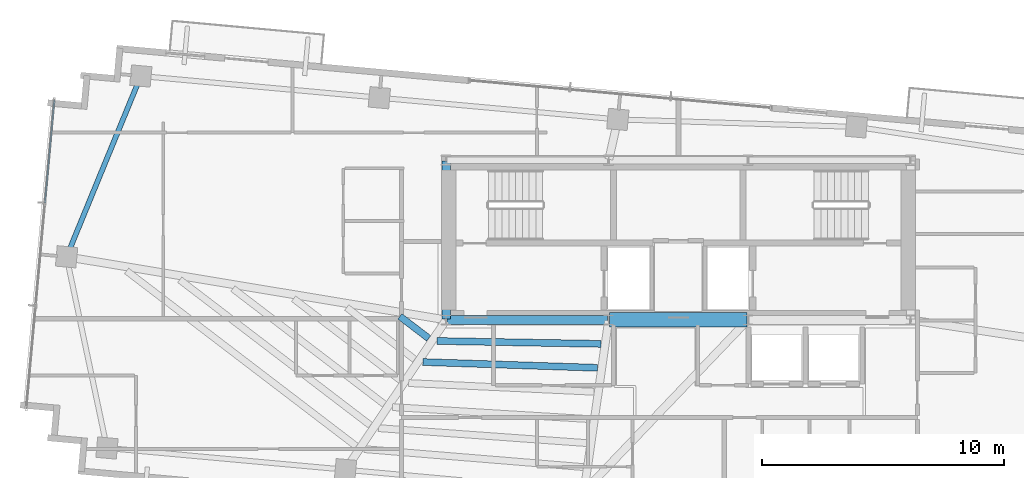
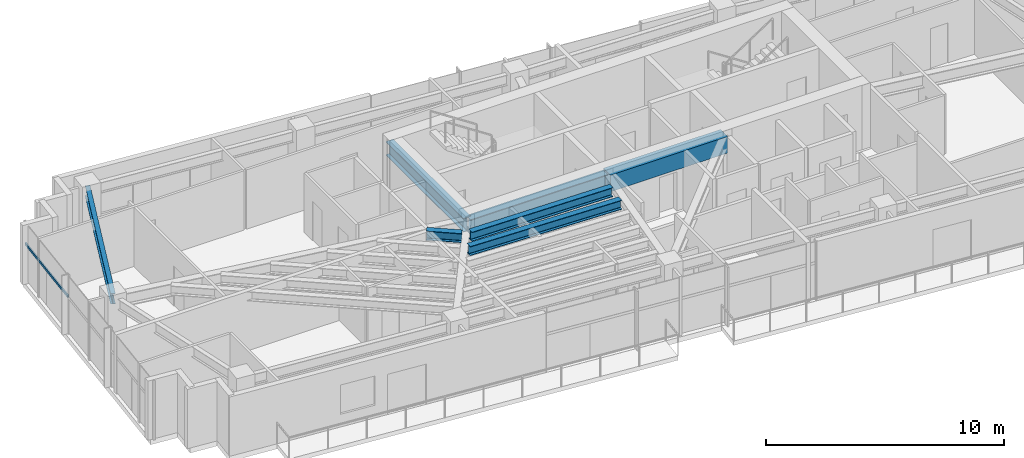
# One storey, part 8 of 22: 7 beams, 1 member, 1 element without a shape of its own.
"""IFC4 building model written with IfcOpenShell, lengths in metres."""

from ifc_helpers import new_model, si_unit, direction, frame, origin, origin_2d, place, context, subcontext, project, spatial, rectangle, hollow_rectangle, i_section, extrude, source, transform, mapped, material, material_profile, profile_set, type_object, type_shapes, element, aggregate, save


model = new_model("IFC4")

# Units and contexts
model_context = context("Model", 3, precision=1e-05, world=origin(), true_north=direction((0.0, 1.0)))
body_context = subcontext(model_context, "Body", "Model", "MODEL_VIEW")
ifc_project = project(units=[si_unit("LENGTHUNIT", "METRE"), si_unit("AREAUNIT", "SQUARE_METRE"), si_unit("VOLUMEUNIT", "CUBIC_METRE"), si_unit("PLANEANGLEUNIT", "RADIAN"), si_unit("MASSUNIT", "GRAM", prefix="KILO")], contexts=[model_context])

# Site, building, storey
site_placement = place(None, origin())
site = spatial("IfcSite", under=ifc_project, at=site_placement, CompositionType="ELEMENT")
building_placement = place(site_placement, origin())
building = spatial("IfcBuilding", under=site, at=building_placement, Name="Astriad Promenade Condominiums", CompositionType="ELEMENT")
storey_placement = place(building_placement, frame((0.0, 0.0, 229.800048828125)))
storey = spatial("IfcBuildingStorey", under=building, at=storey_placement, Name="L66", CompositionType="ELEMENT", Elevation=229.800048828125)

# Beams
ifc_material_1 = material(Name="Steel ASTM A992 Grade 50", Category="steel")
ifc_material_profile_1 = material_profile(ifc_material_1, i_section(OverallWidth=0.3837890625, OverallDepth=0.785888671875, WebThickness=0.019775390625, FlangeThickness=0.033447265625, FilletRadius=0.021484375, at=origin_2d()), Name="W30X211")
ifc_profile_set_1 = profile_set([ifc_material_profile_1], Name="Steel ASTM A992 Grade 50")
beam_type_1 = type_object("IfcBeamType", Name="STEEL FLOOR GIRDER W30X211", PredefinedType="BEAM", material=ifc_profile_set_1)
shared_shape_1 = source(origin(), body_context, "Body", "SweptSolid", [
    extrude(i_section(OverallWidth=0.3837890625, OverallDepth=0.785888671875, WebThickness=0.019775390625, FlangeThickness=0.033447265625, FilletRadius=0.021484375, at=origin_2d()), origin(), (0.0, 0.0, 1.0), 6.64013671875),
])
type_shapes(beam_type_1, [shared_shape_1])
beam_1_placement = place(storey_placement, frame((26.43994140625, 17.39990234375, 2.64697265625), z_axis=(1.0, 0.0, 0.0), x_axis=(0.0, 1.0, 0.0)))
element("IfcBeam", 1, at=beam_1_placement, inside=storey, type_object=beam_type_1, Name="Core Ring Beam CG-S1-L66", PredefinedType="BEAM", context=body_context, shape_type="MappedRepresentation", body=[
    mapped(shared_shape_1, transform((0.0, 0.0, 0.0), scale=1.0)),
])
ifc_material_profile_2 = material_profile(ifc_material_1, i_section(OverallWidth=0.35791015625, OverallDepth=0.706298828125, WebThickness=0.018310546875, FlangeThickness=0.0302734375, FilletRadius=0.020263671875, at=origin_2d()), Name="W27X178")
ifc_profile_set_2 = profile_set([ifc_material_profile_2], Name="Steel ASTM A992 Grade 50")
beam_type_2 = type_object("IfcBeamType", Name="STEEL FLOOR GIRDER W27X178", PredefinedType="BEAM", material=ifc_profile_set_2)
shared_shape_2 = source(origin(), body_context, "Body", "SweptSolid", [
    extrude(i_section(OverallWidth=0.35791015625, OverallDepth=0.706298828125, WebThickness=0.018310546875, FlangeThickness=0.0302734375, FilletRadius=0.020263671875, at=origin_2d()), origin(), (0.0, 0.0, 1.0), 6.52001953125),
])
type_shapes(beam_type_2, [shared_shape_2])
beam_2_placement = place(storey_placement, frame((26.39990234375, 17.43994140625, 2.686767578125), z_axis=(0.0, 1.0, 0.0), x_axis=(-1.0, 0.0, 0.0)))
element("IfcBeam", 2, at=beam_2_placement, inside=storey, type_object=beam_type_2, Name="Core Ring Beam CG-W1-L66", PredefinedType="BEAM", context=body_context, shape_type="MappedRepresentation", body=[
    mapped(shared_shape_2, transform((0.0, 0.0, 0.0), scale=1.0)),
])
ifc_material_2 = material(Name="Concrete C60/75", Category="concrete")
ifc_material_profile_3 = material_profile(ifc_material_2, rectangle(XDim=0.60009765625, YDim=0.85009765625, at=origin_2d()), Name="RC-BM-600X850")
ifc_profile_set_3 = profile_set([ifc_material_profile_3], Name="Concrete C60/75")
beam_type_3 = type_object("IfcBeamType", Name="CONCRETE CORE COUPLING LINTEL 600X850", PredefinedType="LINTEL", material=ifc_profile_set_3)
shared_shape_3 = source(origin(), body_context, "Body", "SweptSolid", [
    extrude(rectangle(XDim=0.60009765625, YDim=0.85009765625, at=origin_2d()), origin(), (0.0, 0.0, 1.0), 5.68017578125),
])
type_shapes(beam_type_3, [shared_shape_3])
beam_3_placement = place(storey_placement, frame((33.159912109375, 17.39990234375, 2.614990234375), z_axis=(1.0, 0.0, 0.0), x_axis=(0.0, 1.0, 0.0)))
element("IfcBeam", 3, at=beam_3_placement, inside=storey, type_object=beam_type_3, Name="Core Ring Beam CG-S2-L66", PredefinedType="LINTEL", context=body_context, shape_type="MappedRepresentation", body=[
    mapped(shared_shape_3, transform((0.0, 0.0, 0.0), scale=1.0)),
])
ifc_material_profile_4 = material_profile(ifc_material_1, i_section(OverallWidth=0.210693359375, OverallDepth=0.53955078125, WebThickness=0.01171875, FlangeThickness=0.018798828125, FilletRadius=0.0166015625, at=origin_2d()), Name="W21X73")
ifc_profile_set_4 = profile_set([ifc_material_profile_4], Name="Steel ASTM A992 Grade 50")
beam_type_4 = type_object("IfcBeamType", Name="STEEL SPANDREL BEAM W21X73", PredefinedType="SPANDREL", material=ifc_profile_set_4)
shared_shape_4 = source(origin(), body_context, "Body", "SweptSolid", [
    extrude(i_section(OverallWidth=0.210693359375, OverallDepth=0.53955078125, WebThickness=0.01171875, FlangeThickness=0.018798828125, FilletRadius=0.0166015625, at=origin_2d()), origin(), (0.0, 0.0, 1.0), 7.998779296875),
])
type_shapes(beam_type_4, [shared_shape_4])
beam_4_placement = place(storey_placement, frame((13.76611328125, 27.44580078125, 2.770263671875), z_axis=(-0.38000513148, -0.924984378273, 0.0), x_axis=(0.924984378273, -0.38000513148, 0.0)))
element("IfcBeam", 4, at=beam_4_placement, inside=storey, type_object=beam_type_4, Name="Perimeter Spandrel Beam SP-W2-L66", PredefinedType="SPANDREL", context=body_context, shape_type="MappedRepresentation", body=[
    mapped(shared_shape_4, transform((0.0, 0.0, 0.0), scale=1.0)),
])
ifc_material_profile_5 = material_profile(ifc_material_1, i_section(OverallWidth=0.283203125, OverallDepth=0.47216796875, WebThickness=0.013671875, FlangeThickness=0.022216796875, FilletRadius=0.01513671875, at=origin_2d()), Name="W18X97")
ifc_profile_set_5 = profile_set([ifc_material_profile_5], Name="Steel ASTM A992 Grade 50")
beam_type_5 = type_object("IfcBeamType", Name="STEEL FLOOR JOIST W18X97", PredefinedType="JOIST", material=ifc_profile_set_5)
shared_shape_5 = source(origin(), body_context, "Body", "SweptSolid", [
    extrude(i_section(OverallWidth=0.283203125, OverallDepth=0.47216796875, WebThickness=0.013671875, FlangeThickness=0.022216796875, FilletRadius=0.01513671875, at=origin_2d()), origin(), (0.0, 0.0, 1.0), 1.497314453125),
])
beam_5_placement = place(storey_placement, frame((24.489501953125, 17.547119140625, 2.803955078125), z_axis=(0.79482500583, -0.606838701887, 0.0), x_axis=(0.606838701887, 0.79482500583, 0.0)))
element("IfcBeam", 5, at=beam_5_placement, inside=storey, type_object=beam_type_5, Name="Secondary Composite Floor Joist JW1-6-L66", PredefinedType="JOIST", context=body_context, shape_type="MappedRepresentation", body=[
    mapped(shared_shape_5, transform((0.0, 0.0, 0.0), scale=1.0)),
])
shared_shape_6 = source(origin(), body_context, "Body", "SweptSolid", [
    extrude(i_section(OverallWidth=0.283203125, OverallDepth=0.47216796875, WebThickness=0.013671875, FlangeThickness=0.022216796875, FilletRadius=0.01513671875, at=origin_2d()), origin(), (0.0, 0.0, 1.0), 7.226318359375),
])
beam_6_placement = place(storey_placement, frame((25.43798828125, 15.659912109375, 2.803955078125), z_axis=(0.999453981353, -0.033041476313, 0.0), x_axis=(0.033041476313, 0.999453981353, 0.0)))
element("IfcBeam", 6, at=beam_6_placement, inside=storey, type_object=beam_type_5, Name="Secondary Composite Floor Joist JCW-5-L66", PredefinedType="JOIST", context=body_context, shape_type="MappedRepresentation", body=[
    mapped(shared_shape_6, transform((0.0, 0.0, 0.0), scale=1.0)),
])
shared_shape_7 = source(origin(), body_context, "Body", "SweptSolid", [
    extrude(i_section(OverallWidth=0.283203125, OverallDepth=0.47216796875, WebThickness=0.013671875, FlangeThickness=0.022216796875, FilletRadius=0.01513671875, at=origin_2d()), origin(), (0.0, 0.0, 1.0), 6.781494140625),
])
type_shapes(beam_type_5, [shared_shape_5, shared_shape_6, shared_shape_7])
beam_7_placement = place(storey_placement, frame((26.022216796875, 16.52978515625, 2.803955078125), z_axis=(0.999845665325, -0.017568310398, 0.0), x_axis=(0.017568310398, 0.999845665325, 0.0)))
element("IfcBeam", 7, at=beam_7_placement, inside=storey, type_object=beam_type_5, Name="Secondary Composite Floor Joist JCW-6-L66", PredefinedType="JOIST", context=body_context, shape_type="MappedRepresentation", body=[
    mapped(shared_shape_7, transform((0.0, 0.0, 0.0), scale=1.0)),
])

# Curtain wall, member
ifc_material_3 = material(Name="Anodised aluminium Black Dark Glass Unitised", Category="aluminium")
curtain_wall_type = type_object("IfcCurtainWallType", Name="CW-B5-DARK", PredefinedType="USERDEFINED", material=ifc_material_3)
curtain_wall_placement = place(storey_placement, origin())
curtain_wall = element("IfcCurtainWall", 8, at=curtain_wall_placement, inside=storey, type_object=curtain_wall_type, Name="CW-L66-W", ObjectType="UNITISED_CURTAIN_WALL", PredefinedType="USERDEFINED")
ifc_material_4 = material(Name="Anodised aluminium 6063-T6 Black", Category="aluminium")
ifc_material_profile_6 = material_profile(ifc_material_4, hollow_rectangle(XDim=0.06494140625, YDim=0.1298828125, WallThickness=0.00390625, at=origin_2d()), Name="ALU-TRN-65X130")
ifc_profile_set_6 = profile_set([ifc_material_profile_6], Name="Anodised aluminium 6063-T6 Black")
member_type = type_object("IfcMemberType", Name="TRN-ALU-TRN-65X130", PredefinedType="USERDEFINED", material=ifc_profile_set_6)
shared_shape_8 = source(origin(), body_context, "Body", "SweptSolid", [
    extrude(hollow_rectangle(XDim=0.06494140625, YDim=0.1298828125, WallThickness=0.00390625, at=origin_2d()), origin(), (0.0, 0.0, 1.0), 4.2666015625),
])
type_shapes(member_type, [shared_shape_8])
member_placement = place(storey_placement, frame((9.819091796875, 22.233642578125, 1.884765625), z_axis=(0.090638931954, 0.99588382054, 0.0), x_axis=(-0.99588382054, 0.090638931954, 0.0)))
member = element("IfcMember", 9, at=member_placement, type_object=member_type, Name="CW-L66-W-TRN-02-0", ObjectType="TRANSOM", PredefinedType="USERDEFINED", context=body_context, shape_type="MappedRepresentation", body=[
    mapped(shared_shape_8, transform((0.0, 0.0, 0.0), scale=1.0)),
])
aggregate(curtain_wall, [member])

save(model, "model.ifc")
